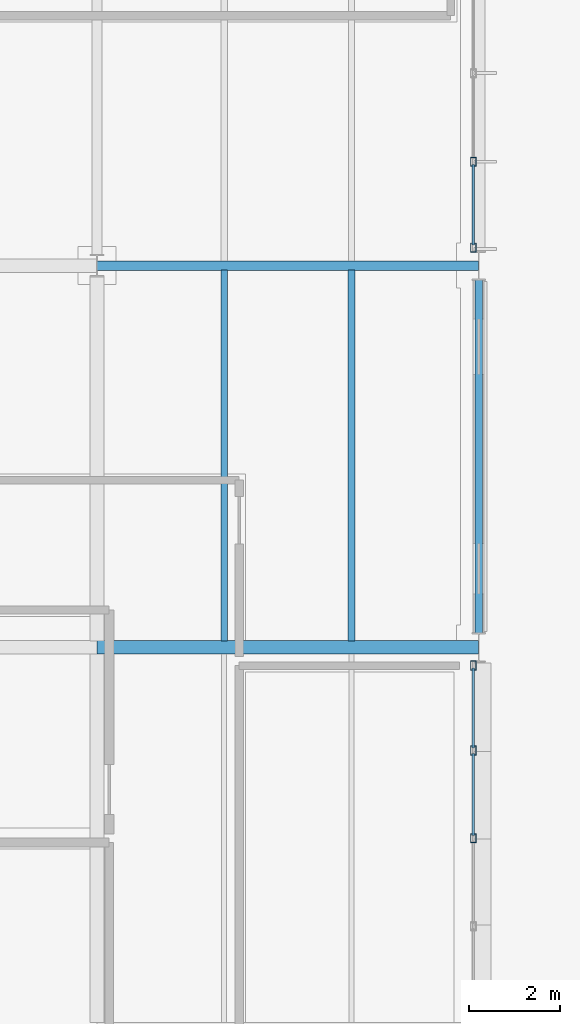
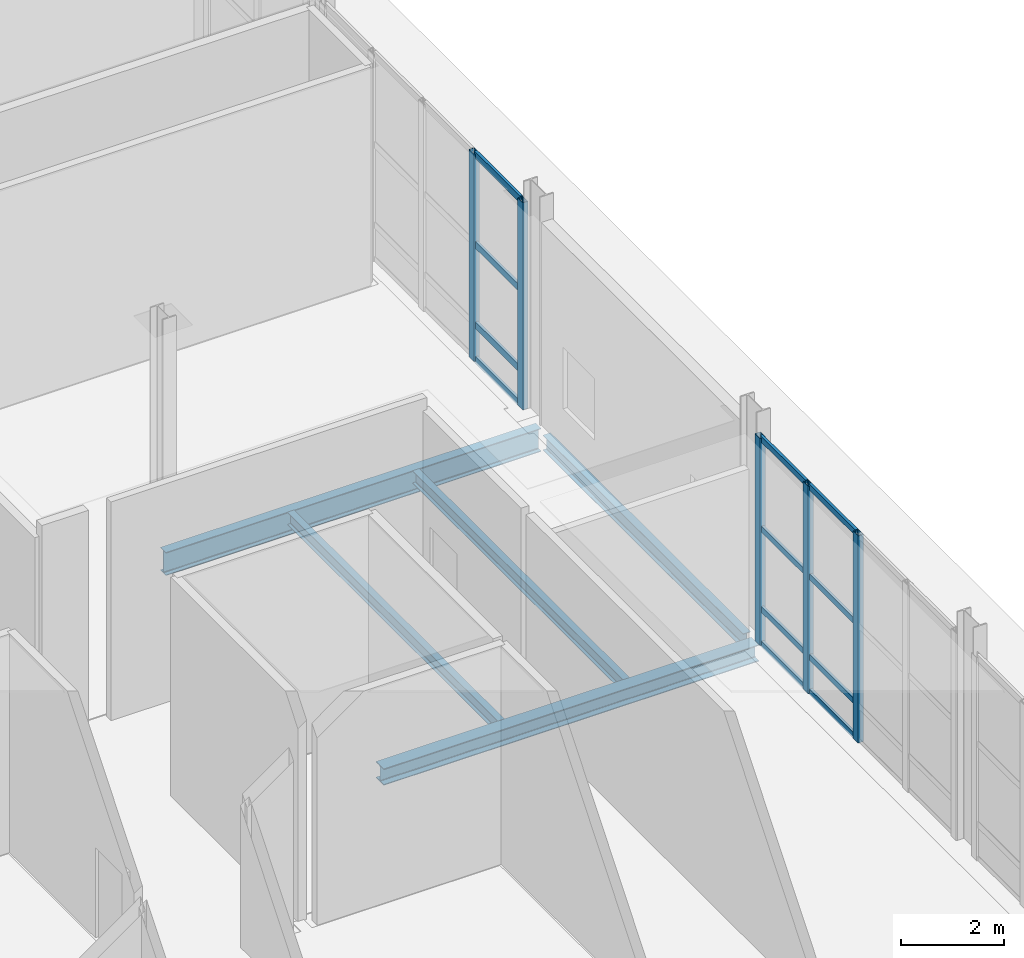
# One storey, part 40 of 124: 17 members, 5 beams, 2 elements without a shape of their own.
"""IFC4 building model written with IfcOpenShell, lengths in metres."""

from ifc_helpers import new_model, si_unit, direction, frame, origin, origin_2d, place, context, subcontext, project, spatial, hollow_rectangle, i_section, extrude, material, material_profile, profile_set, type_object, element, aggregate, save


model = new_model("IFC4")

# Units and contexts
model_context = context("Model", 3, precision=1e-05, world=origin(), true_north=direction((0.0, 1.0)))
body_context = subcontext(model_context, "Body", "Model", "MODEL_VIEW")
ifc_project = project(units=[si_unit("LENGTHUNIT", "METRE"), si_unit("AREAUNIT", "SQUARE_METRE"), si_unit("VOLUMEUNIT", "CUBIC_METRE"), si_unit("PLANEANGLEUNIT", "RADIAN"), si_unit("MASSUNIT", "GRAM", prefix="KILO")], contexts=[model_context])

# Site, building, storey
site_placement = place(None, origin())
site = spatial("IfcSite", under=ifc_project, at=site_placement, CompositionType="ELEMENT")
building_placement = place(site_placement, origin())
building = spatial("IfcBuilding", under=site, at=building_placement, Name="Mersafa Astral City Hall", CompositionType="ELEMENT")
storey_placement = place(building_placement, origin())
storey = spatial("IfcBuildingStorey", under=building, at=storey_placement, Name="L00", CompositionType="ELEMENT", Elevation=0.0)

# Curtain wall, members
ifc_material_1 = material(Name="Anodised bronze aluminium framing", Category="aluminium")
curtain_wall_type_1 = type_object("IfcCurtainWallType", Name="ENV-CW-6", PredefinedType="USERDEFINED", material=ifc_material_1)
curtain_wall_1_placement = place(storey_placement, origin())
curtain_wall_1 = element("IfcCurtainWall", 1, at=curtain_wall_1_placement, inside=storey, type_object=curtain_wall_type_1, Name="L00 Unitised solar curtain wall 11", ObjectType="UNITISED CURTAIN WALL", PredefinedType="USERDEFINED")
ifc_material_profile_1 = material_profile(ifc_material_1, hollow_rectangle(XDim=0.1201171875, YDim=0.199951171875, WallThickness=0.008056640625, at=origin_2d()), Name="RHS 120x200x8")
ifc_profile_set_1 = profile_set([ifc_material_profile_1], Name="Anodised bronze aluminium framing")
member_type_1 = type_object("IfcMemberType", Name="ENV-CW-MUL-2", PredefinedType="MULLION", material=ifc_profile_set_1)
member_1_placement = place(storey_placement, frame((117.47998046875, 79.800048828125, -0.001953125), z_axis=(0.0, 0.0, 1.0), x_axis=(-1.0, 0.0, 0.0)))
member_1 = element("IfcMember", 2, at=member_1_placement, type_object=member_type_1, Name="CW-6 mullion 3", PredefinedType="MULLION", context=body_context, shape_type="SweptSolid", body=[
    extrude(hollow_rectangle(XDim=0.1201171875, YDim=0.199951171875, WallThickness=0.008056640625, at=origin_2d()), origin(), (0.0, 0.0, 1.0), 4.904052734375),
])
member_2_placement = place(storey_placement, frame((117.47998046875, 81.7314453125, -0.001953125), z_axis=(0.0, 0.0, 1.0), x_axis=(-1.0, 0.0, 0.0)))
member_2 = element("IfcMember", 3, at=member_2_placement, type_object=member_type_1, Name="CW-6 mullion 4", PredefinedType="MULLION", context=body_context, shape_type="SweptSolid", body=[
    extrude(hollow_rectangle(XDim=0.1201171875, YDim=0.199951171875, WallThickness=0.008056640625, at=origin_2d()), origin(), (0.0, 0.0, 1.0), 4.904052734375),
])
member_3_placement = place(storey_placement, frame((117.47998046875, 83.60302734375, -0.001953125), z_axis=(0.0, 0.0, 1.0), x_axis=(-1.0, 0.0, 0.0)))
member_3 = element("IfcMember", 4, at=member_3_placement, type_object=member_type_1, Name="CW-6 mullion 5", PredefinedType="MULLION", context=body_context, shape_type="SweptSolid", body=[
    extrude(hollow_rectangle(XDim=0.1201171875, YDim=0.199951171875, WallThickness=0.008056640625, at=origin_2d()), origin(), (0.0, 0.0, 1.0), 4.904052734375),
])

curtain_wall_type_2 = type_object("IfcCurtainWallType", Name="ENV-CW-1", PredefinedType="USERDEFINED", material=ifc_material_1)
curtain_wall_2_placement = place(storey_placement, origin())
curtain_wall_2 = element("IfcCurtainWall", 5, at=curtain_wall_2_placement, inside=storey, type_object=curtain_wall_type_2, Name="L00 Unitised solar curtain wall 12", ObjectType="UNITISED CURTAIN WALL", PredefinedType="USERDEFINED")
member_4_placement = place(storey_placement, frame((117.47998046875, 92.797119140625, -0.001953125), z_axis=(0.0, 0.0, 1.0), x_axis=(-1.0, 0.0, 0.0)))
member_4 = element("IfcMember", 6, at=member_4_placement, type_object=member_type_1, Name="CW-1 mullion 1", PredefinedType="MULLION", context=body_context, shape_type="SweptSolid", body=[
    extrude(hollow_rectangle(XDim=0.1201171875, YDim=0.199951171875, WallThickness=0.008056640625, at=origin_2d()), origin(), (0.0, 0.0, 1.0), 4.904052734375),
])
member_5_placement = place(storey_placement, frame((117.47998046875, 94.687255859375, -0.001953125), z_axis=(0.0, 0.0, 1.0), x_axis=(-1.0, 0.0, 0.0)))
member_5 = element("IfcMember", 7, at=member_5_placement, type_object=member_type_1, Name="CW-1 mullion 2", PredefinedType="MULLION", context=body_context, shape_type="SweptSolid", body=[
    extrude(hollow_rectangle(XDim=0.1201171875, YDim=0.199951171875, WallThickness=0.008056640625, at=origin_2d()), origin(), (0.0, 0.0, 1.0), 4.904052734375),
])

# Member
ifc_material_profile_2 = material_profile(ifc_material_1, hollow_rectangle(XDim=0.06005859375, YDim=0.139892578125, WallThickness=0.00390625, at=origin_2d()), Name="RHS 60x140x4")
ifc_profile_set_2 = profile_set([ifc_material_profile_2], Name="Anodised bronze aluminium framing")
member_type_2 = type_object("IfcMemberType", Name="ENV-CW-TRN-1", PredefinedType="USERDEFINED", material=ifc_profile_set_2)
member_6_placement = place(storey_placement, frame((117.47998046875, 79.860107421875, 0.028076171875), z_axis=(0.0, 1.0, 0.0), x_axis=(-1.0, 0.0, 0.0)))
member_6 = element("IfcMember", 8, at=member_6_placement, type_object=member_type_2, Name="CW-6 transom 3.1", ObjectType="TRANSOM", PredefinedType="USERDEFINED", context=body_context, shape_type="SweptSolid", body=[
    extrude(hollow_rectangle(XDim=0.06005859375, YDim=0.139892578125, WallThickness=0.00390625, at=origin_2d()), origin(), (0.0, 0.0, 1.0), 1.811279296875),
])

member_7_placement = place(storey_placement, frame((117.47998046875, 79.860107421875, 0.85009765625), z_axis=(0.0, 1.0, 0.0), x_axis=(-1.0, 0.0, 0.0)))
member_7 = element("IfcMember", 9, at=member_7_placement, type_object=member_type_2, Name="CW-6 transom 3.2", ObjectType="TRANSOM", PredefinedType="USERDEFINED", context=body_context, shape_type="SweptSolid", body=[
    extrude(hollow_rectangle(XDim=0.06005859375, YDim=0.139892578125, WallThickness=0.00390625, at=origin_2d()), origin(), (0.0, 0.0, 1.0), 1.811279296875),
])

member_8_placement = place(storey_placement, frame((117.47998046875, 79.860107421875, 2.75), z_axis=(0.0, 1.0, 0.0), x_axis=(-1.0, 0.0, 0.0)))
member_8 = element("IfcMember", 10, at=member_8_placement, type_object=member_type_2, Name="CW-6 transom 3.3", ObjectType="TRANSOM", PredefinedType="USERDEFINED", context=body_context, shape_type="SweptSolid", body=[
    extrude(hollow_rectangle(XDim=0.06005859375, YDim=0.139892578125, WallThickness=0.00390625, at=origin_2d()), origin(), (0.0, 0.0, 1.0), 1.811279296875),
])

member_9_placement = place(storey_placement, frame((117.47998046875, 79.860107421875, 4.8720703125), z_axis=(0.0, 1.0, 0.0), x_axis=(-1.0, 0.0, 0.0)))
member_9 = element("IfcMember", 11, at=member_9_placement, type_object=member_type_2, Name="CW-6 transom 3.4", ObjectType="TRANSOM", PredefinedType="USERDEFINED", context=body_context, shape_type="SweptSolid", body=[
    extrude(hollow_rectangle(XDim=0.06005859375, YDim=0.139892578125, WallThickness=0.00390625, at=origin_2d()), origin(), (0.0, 0.0, 1.0), 1.811279296875),
])

member_10_placement = place(storey_placement, frame((117.47998046875, 81.79150390625, 0.028076171875), z_axis=(0.0, 1.0, 0.0), x_axis=(-1.0, 0.0, 0.0)))
member_10 = element("IfcMember", 12, at=member_10_placement, type_object=member_type_2, Name="CW-6 transom 4.1", ObjectType="TRANSOM", PredefinedType="USERDEFINED", context=body_context, shape_type="SweptSolid", body=[
    extrude(hollow_rectangle(XDim=0.06005859375, YDim=0.139892578125, WallThickness=0.00390625, at=origin_2d()), origin(), (0.0, 0.0, 1.0), 1.75146484375),
])

member_11_placement = place(storey_placement, frame((117.47998046875, 81.79150390625, 0.85009765625), z_axis=(0.0, 1.0, 0.0), x_axis=(-1.0, 0.0, 0.0)))
member_11 = element("IfcMember", 13, at=member_11_placement, type_object=member_type_2, Name="CW-6 transom 4.2", ObjectType="TRANSOM", PredefinedType="USERDEFINED", context=body_context, shape_type="SweptSolid", body=[
    extrude(hollow_rectangle(XDim=0.06005859375, YDim=0.139892578125, WallThickness=0.00390625, at=origin_2d()), origin(), (0.0, 0.0, 1.0), 1.75146484375),
])

member_12_placement = place(storey_placement, frame((117.47998046875, 81.79150390625, 2.75), z_axis=(0.0, 1.0, 0.0), x_axis=(-1.0, 0.0, 0.0)))
member_12 = element("IfcMember", 14, at=member_12_placement, type_object=member_type_2, Name="CW-6 transom 4.3", ObjectType="TRANSOM", PredefinedType="USERDEFINED", context=body_context, shape_type="SweptSolid", body=[
    extrude(hollow_rectangle(XDim=0.06005859375, YDim=0.139892578125, WallThickness=0.00390625, at=origin_2d()), origin(), (0.0, 0.0, 1.0), 1.75146484375),
])

member_13_placement = place(storey_placement, frame((117.47998046875, 81.79150390625, 4.8720703125), z_axis=(0.0, 1.0, 0.0), x_axis=(-1.0, 0.0, 0.0)))
member_13 = element("IfcMember", 15, at=member_13_placement, type_object=member_type_2, Name="CW-6 transom 4.4", ObjectType="TRANSOM", PredefinedType="USERDEFINED", context=body_context, shape_type="SweptSolid", body=[
    extrude(hollow_rectangle(XDim=0.06005859375, YDim=0.139892578125, WallThickness=0.00390625, at=origin_2d()), origin(), (0.0, 0.0, 1.0), 1.75146484375),
])

aggregate(curtain_wall_1, [member_1, member_2, member_3, member_6, member_7, member_8, member_9, member_10, member_11, member_12, member_13])

ifc_material_profile_3 = material_profile(ifc_material_1, hollow_rectangle(XDim=0.06005859375, YDim=0.159912109375, WallThickness=0.00390625, at=origin_2d()), Name="RHS 60x160x4")
ifc_profile_set_3 = profile_set([ifc_material_profile_3], Name="Anodised bronze aluminium framing")
member_type_3 = type_object("IfcMemberType", Name="ENV-CW-TRN-2", PredefinedType="USERDEFINED", material=ifc_profile_set_3)
member_14_placement = place(storey_placement, frame((117.47998046875, 92.85693359375, 0.028076171875), z_axis=(0.0, 1.0, 0.0), x_axis=(-1.0, 0.0, 0.0)))
member_14 = element("IfcMember", 16, at=member_14_placement, type_object=member_type_3, Name="CW-1 transom 1.1", ObjectType="TRANSOM", PredefinedType="USERDEFINED", context=body_context, shape_type="SweptSolid", body=[
    extrude(hollow_rectangle(XDim=0.06005859375, YDim=0.159912109375, WallThickness=0.00390625, at=origin_2d()), origin(), (0.0, 0.0, 1.0), 1.770263671875),
])

member_15_placement = place(storey_placement, frame((117.47998046875, 92.85693359375, 0.85009765625), z_axis=(0.0, 1.0, 0.0), x_axis=(-1.0, 0.0, 0.0)))
member_15 = element("IfcMember", 17, at=member_15_placement, type_object=member_type_3, Name="CW-1 transom 1.2", ObjectType="TRANSOM", PredefinedType="USERDEFINED", context=body_context, shape_type="SweptSolid", body=[
    extrude(hollow_rectangle(XDim=0.06005859375, YDim=0.159912109375, WallThickness=0.00390625, at=origin_2d()), origin(), (0.0, 0.0, 1.0), 1.770263671875),
])

member_16_placement = place(storey_placement, frame((117.47998046875, 92.85693359375, 2.75), z_axis=(0.0, 1.0, 0.0), x_axis=(-1.0, 0.0, 0.0)))
member_16 = element("IfcMember", 18, at=member_16_placement, type_object=member_type_3, Name="CW-1 transom 1.3", ObjectType="TRANSOM", PredefinedType="USERDEFINED", context=body_context, shape_type="SweptSolid", body=[
    extrude(hollow_rectangle(XDim=0.06005859375, YDim=0.159912109375, WallThickness=0.00390625, at=origin_2d()), origin(), (0.0, 0.0, 1.0), 1.770263671875),
])

member_17_placement = place(storey_placement, frame((117.47998046875, 92.85693359375, 4.8720703125), z_axis=(0.0, 1.0, 0.0), x_axis=(-1.0, 0.0, 0.0)))
member_17 = element("IfcMember", 19, at=member_17_placement, type_object=member_type_3, Name="CW-1 transom 1.4", ObjectType="TRANSOM", PredefinedType="USERDEFINED", context=body_context, shape_type="SweptSolid", body=[
    extrude(hollow_rectangle(XDim=0.06005859375, YDim=0.159912109375, WallThickness=0.00390625, at=origin_2d()), origin(), (0.0, 0.0, 1.0), 1.770263671875),
])

aggregate(curtain_wall_2, [member_4, member_5, member_14, member_15, member_16, member_17])

# Beams
ifc_material_2 = material(Name="Steel S355", Category="steel")
ifc_material_profile_4 = material_profile(ifc_material_2, i_section(OverallWidth=0.300048828125, OverallDepth=0.389892578125, WebThickness=0.010986328125, FlangeThickness=0.01904296875, FilletRadius=0.027099609375, at=origin_2d()), Name="HEA 400")
ifc_profile_set_4 = profile_set([ifc_material_profile_4], Name="Steel S355")
beam_type_1 = type_object("IfcBeamType", Name="STR-BM-HEA400", PredefinedType="BEAM", material=ifc_profile_set_4)
beam_1_placement = place(storey_placement, frame((109.202880859375, 84.0, -0.445068359375), z_axis=(1.0, 0.0, 0.0), x_axis=(0.0, 1.0, 0.0)))
element("IfcBeam", 20, at=beam_1_placement, inside=storey, type_object=beam_type_1, Name="L00 Primary girder X 13-10", PredefinedType="BEAM", context=body_context, shape_type="SweptSolid", body=[
    extrude(i_section(OverallWidth=0.300048828125, OverallDepth=0.389892578125, WebThickness=0.010986328125, FlangeThickness=0.01904296875, FilletRadius=0.027099609375, at=origin_2d()), origin(), (0.0, 0.0, 1.0), 8.39404296875),
])
ifc_material_profile_5 = material_profile(ifc_material_2, i_section(OverallWidth=0.2099609375, OverallDepth=0.550048828125, WebThickness=0.010986328125, FlangeThickness=0.01708984375, FilletRadius=0.02392578125, at=origin_2d()), Name="IPE 550")
ifc_profile_set_5 = profile_set([ifc_material_profile_5], Name="Steel S355")
beam_type_2 = type_object("IfcBeamType", Name="STR-BM-IPE550", PredefinedType="BEAM", material=ifc_profile_set_5)
beam_2_placement = place(storey_placement, frame((109.202880859375, 92.39990234375, -0.52490234375), z_axis=(1.0, 0.0, 0.0), x_axis=(0.0, 1.0, 0.0)))
element("IfcBeam", 21, at=beam_2_placement, inside=storey, type_object=beam_type_2, Name="L00 Primary girder X 13-11", PredefinedType="BEAM", context=body_context, shape_type="SweptSolid", body=[
    extrude(i_section(OverallWidth=0.2099609375, OverallDepth=0.550048828125, WebThickness=0.010986328125, FlangeThickness=0.01708984375, FilletRadius=0.02392578125, at=origin_2d()), origin(), (0.0, 0.0, 1.0), 8.39404296875),
])
ifc_material_profile_6 = material_profile(ifc_material_2, i_section(OverallWidth=0.14990234375, OverallDepth=0.300048828125, WebThickness=0.007080078125, FlangeThickness=0.0107421875, FilletRadius=0.014892578125, at=origin_2d()), Name="IPE 300")
ifc_profile_set_6 = profile_set([ifc_material_profile_6], Name="Steel S355")
beam_type_3 = type_object("IfcBeamType", Name="STR-BM-JOIST-IPE300", PredefinedType="JOIST", material=ifc_profile_set_6)
for number, where, z_axis, x_axis, name in (
    (22, (112.0, 84.14501953125, -0.39990234375), (0.0, 1.0, 0.0), (-1.0, 0.0, 0.0), "L00 Composite secondary floor joist 128"),
    (23, (114.800048828125, 84.14501953125, -0.39990234375), (0.0, 1.0, 0.0), (-1.0, 0.0, 0.0), "L00 Composite secondary floor joist 129"),
):
    element("IfcBeam", number, at=place(storey_placement, frame(where, z_axis=z_axis, x_axis=x_axis)), inside=storey, type_object=beam_type_3, Name=name, PredefinedType="JOIST", context=body_context, shape_type="SweptSolid", body=[
        extrude(i_section(OverallWidth=0.14990234375, OverallDepth=0.300048828125, WebThickness=0.007080078125, FlangeThickness=0.0107421875, FilletRadius=0.014892578125, at=origin_2d()), origin(), (0.0, 0.0, 1.0), 8.155029296875),
    ])
ifc_material_profile_7 = material_profile(ifc_material_2, i_section(OverallWidth=0.169921875, OverallDepth=0.360107421875, WebThickness=0.008056640625, FlangeThickness=0.0126953125, FilletRadius=0.01806640625, at=origin_2d()), Name="IPE 360")
ifc_profile_set_7 = profile_set([ifc_material_profile_7], Name="Steel S355")
beam_type_4 = type_object("IfcBeamType", Name="STR-BM-SPANDREL-IPE360", PredefinedType="SPANDREL", material=ifc_profile_set_7)
beam_3_placement = place(storey_placement, frame((117.60009765625, 84.320068359375, -0.429931640625), z_axis=(0.0, 1.0, 0.0), x_axis=(-1.0, 0.0, 0.0)))
element("IfcBeam", 24, at=beam_3_placement, inside=storey, type_object=beam_type_4, Name="L00 Primary girder Y 14-10", PredefinedType="SPANDREL", context=body_context, shape_type="SweptSolid", body=[
    extrude(i_section(OverallWidth=0.169921875, OverallDepth=0.360107421875, WebThickness=0.008056640625, FlangeThickness=0.0126953125, FilletRadius=0.01806640625, at=origin_2d()), origin(), (0.0, 0.0, 1.0), 7.760009765625),
])

save(model, "model.ifc")
